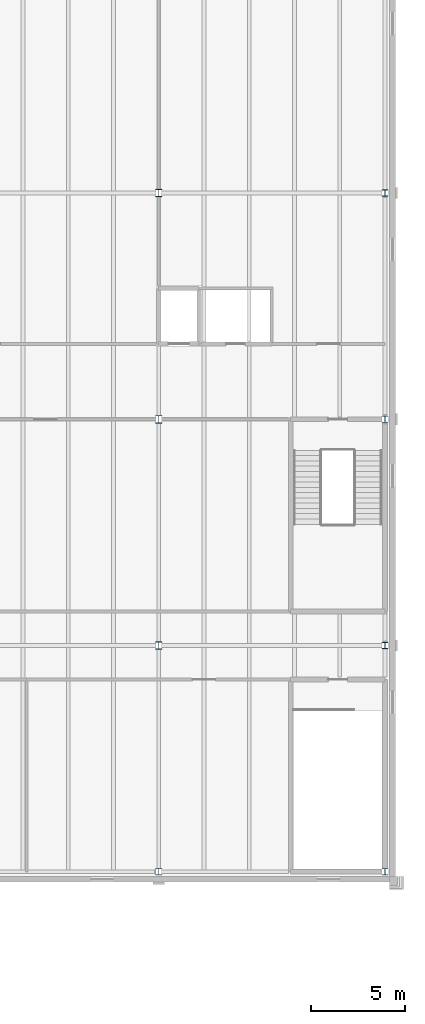
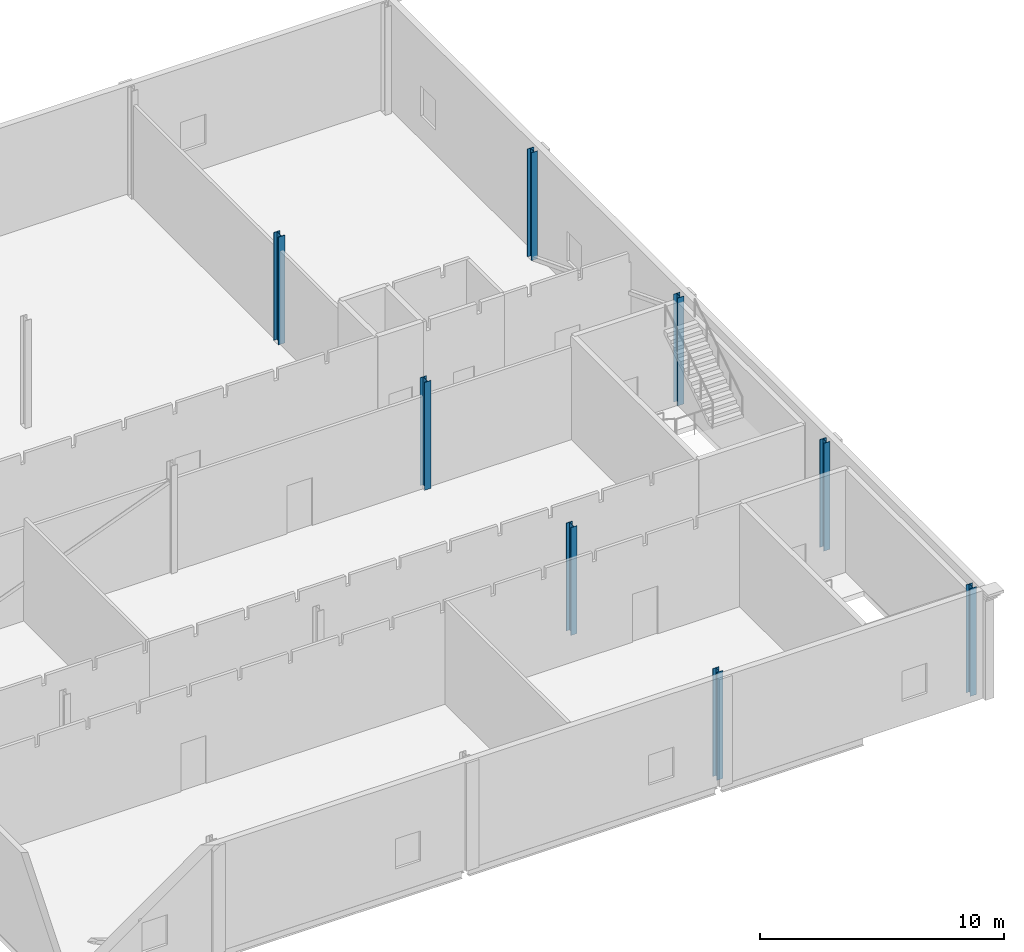
# One storey, part 11 of 321: 8 columns.
"""IFC4 building model written with IfcOpenShell, lengths in metres."""

import ifcopenshell
import ifcopenshell.guid

model = None  # the IFC model being written
_history = None  # IfcOwnerHistory: only IFC2X3 demands one
_inside = {}  # id of a spatial element -> (the spatial element, [elements in it])
_under = {}  # id of a project, library or spatial element -> (it, [spatial elements below it])
_declared = {}  # id of a project -> (the project, [libraries it declares])
_typed = {}  # id of a type object -> (the type object, [elements of that type])
_made_of = {}  # id of a material, layer set ... -> (it, [elements and type objects made of it])


def new_model(schema):
    """Start an empty IFC model of exactly this schema.

    Asked for "IFC4X3", IfcOpenShell would pick the latest addendum, in which some entities
    have other attributes; the version numbers below select the first issue.
    IFC2X3 requires an IfcOwnerHistory on every rooted entity: one is made here for all.
    """
    global model, _history
    if schema == "IFC4X3":
        model = ifcopenshell.file(schema_version=(4, 3, 0, 0))
    else:
        model = ifcopenshell.file(schema=schema)
    _inside.clear()
    _under.clear()
    _declared.clear()
    _typed.clear()
    _made_of.clear()
    _history = None
    if model.schema == "IFC2X3":
        org = make("IfcOrganization", Name="unknown")
        user = make(
            "IfcPersonAndOrganization",
            ThePerson=make("IfcPerson", FamilyName="unknown"),
            TheOrganization=org,
        )
        app = make(
            "IfcApplication",
            ApplicationDeveloper=org,
            Version="unknown",
            ApplicationFullName="unknown",
            ApplicationIdentifier="unknown",
        )
        _history = make(
            "IfcOwnerHistory",
            OwningUser=user,
            OwningApplication=app,
            ChangeAction="ADDED",
            CreationDate=0,
        )
    return model


def make(cls, **values):
    """One entity of the class cls with the attributes given. An attribute that is None is left unset."""
    return model.create_entity(
        cls, **{name: value for name, value in values.items() if value is not None}
    )


def rooted(cls, **values):
    """An entity with a GlobalId (a new one), such as an element, a storey or a relation."""
    return make(cls, GlobalId=ifcopenshell.guid.new(), OwnerHistory=_history, **values)


def si_unit(unit_type, name, prefix=None):
    """IfcSIUnit, for example si_unit("LENGTHUNIT", "METRE", prefix="MILLI")."""
    return make("IfcSIUnit", UnitType=unit_type, Prefix=prefix, Name=name)


def assignment(units):
    """IfcUnitAssignment: the units of a project."""
    return None if units is None else make("IfcUnitAssignment", Units=units)


def point(xyz):
    """IfcCartesianPoint."""
    return None if xyz is None else make("IfcCartesianPoint", Coordinates=xyz)


def direction(xyz):
    """IfcDirection."""
    return None if xyz is None else make("IfcDirection", DirectionRatios=xyz)


def frame(location, z_axis=None, x_axis=None):
    """IfcAxis2Placement3D, a coordinate frame: its origin and axes. An axis left out is left unset."""
    return make(
        "IfcAxis2Placement3D",
        Location=point(location),
        Axis=direction(z_axis),
        RefDirection=direction(x_axis),
    )


def frame_2d(location, x_axis=None):
    """IfcAxis2Placement2D, a coordinate frame in the plane: its origin and x axis."""
    return make(
        "IfcAxis2Placement2D", Location=point(location), RefDirection=direction(x_axis)
    )


def origin():
    """The frame at (0, 0, 0) with its axes left unset."""
    return frame((0.0, 0.0, 0.0))


def origin_2d():
    """The frame at (0, 0) in the plane with its x axis left unset."""
    return frame_2d((0.0, 0.0))


def place(relative_to, where):
    """IfcLocalPlacement: puts the frame where relative to a parent placement (None: the world)."""
    return make(
        "IfcLocalPlacement", PlacementRelTo=relative_to, RelativePlacement=where
    )


def context(
    kind, dimensions, precision=None, world=None, true_north=None, identifier=None
):
    """IfcGeometricRepresentationContext, for example the 3D "Model" context."""
    return make(
        "IfcGeometricRepresentationContext",
        ContextIdentifier=identifier,
        ContextType=kind,
        CoordinateSpaceDimension=dimensions,
        Precision=precision,
        WorldCoordinateSystem=world,
        TrueNorth=true_north,
    )


def subcontext(parent, identifier, kind, view, scale=None):
    """IfcGeometricRepresentationSubContext, for example "Body" below "Model"."""
    return make(
        "IfcGeometricRepresentationSubContext",
        ContextIdentifier=identifier,
        ContextType=kind,
        ParentContext=parent,
        TargetScale=scale,
        TargetView=view,
    )


def project(units=None, contexts=None):
    """IfcProject with its units and contexts."""
    return rooted(
        "IfcProject",
        Name="project",
        RepresentationContexts=contexts,
        UnitsInContext=assignment(units),
    )


def spatial(cls, under=None, at=None, **own):
    """A site, building, storey or space (cls), placed at a placement, below another one or the project."""
    s = rooted(cls, ObjectPlacement=at, **own)
    if under is not None:
        _under.setdefault(under.id(), (under, []))[1].append(s)
    return s


def profile(cls, at=None, kind="AREA", **sizes):
    """A parametric profile (cls). Its sizes go by their IFC names, for example OverallWidth=200.0."""
    return make(cls, ProfileType=kind, Position=at, **sizes)


def i_section(**sizes):
    """IfcIShapeProfileDef."""
    return profile("IfcIShapeProfileDef", **sizes)


def extrude(swept, where, along, depth):
    """IfcExtrudedAreaSolid: the profile swept, set in the frame where, extruded along a direction by depth."""
    return make(
        "IfcExtrudedAreaSolid",
        SweptArea=swept,
        Position=where,
        ExtrudedDirection=direction(along),
        Depth=depth,
    )


def shape(context_of_items, identifier, shape_type, items):
    """IfcShapeRepresentation: the items that make up one representation, for example the "Body"."""
    return make(
        "IfcShapeRepresentation",
        ContextOfItems=context_of_items,
        RepresentationIdentifier=identifier,
        RepresentationType=shape_type,
        Items=items,
    )


def material(Name=None, Category=None):
    """IfcMaterial."""
    return make("IfcMaterial", Name=Name, Category=Category)


def material_profile(
    of_material, cross_section, Name=None, Category=None, Priority=None
):
    """IfcMaterialProfile: a cross section and its material."""
    return make(
        "IfcMaterialProfile",
        Name=Name,
        Material=of_material,
        Profile=cross_section,
        Priority=Priority,
        Category=Category,
    )


def profile_set(profiles, Name=None, composite=None):
    """IfcMaterialProfileSet."""
    return make(
        "IfcMaterialProfileSet",
        Name=Name,
        MaterialProfiles=profiles,
        CompositeProfile=composite,
    )


def made_of(thing, what):
    """Note that an element or type object is made of a material, layer set ...; save() writes the relation."""
    if what is not None:
        _made_of.setdefault(what.id(), (what, []))[1].append(thing)
    return thing


def type_object(cls, material=None, **own):
    """A type object (cls), such as IfcWallType, which elements share."""
    return made_of(rooted(cls, **own), material)


def element(
    cls,
    number,
    at=None,
    inside=None,
    cuts=None,
    type_object=None,
    material=None,
    context=None,
    identifier="Body",
    shape_type=None,
    held_by="IfcProductDefinitionShape",
    body=None,
    shapes=None,
    **own,
):
    """One element of the class cls, such as IfcWall. Its Tag is "e" and its number.

    at: its placement. inside: the storey or other place that contains it. cuts: it is an
    opening in that element (IfcRelVoidsElement). A single representation is given by context,
    identifier, shape_type and body (its items); several are given by shapes. held_by: the class
    of the entity that holds the representations. save() writes the other relations.
    """
    e = rooted(cls, Tag="e%d" % number, ObjectPlacement=at, **own)
    if body is not None:
        shapes = [shape(context, identifier, shape_type, body)]
    if shapes is not None:
        e.Representation = make(held_by, Representations=shapes)
    if inside is not None:
        _inside.setdefault(inside.id(), (inside, []))[1].append(e)
    if cuts is not None:
        rooted(
            "IfcRelVoidsElement", RelatingBuildingElement=cuts, RelatedOpeningElement=e
        )
    if type_object is not None:
        _typed.setdefault(type_object.id(), (type_object, []))[1].append(e)
    return made_of(e, material)


def aggregate(whole, parts):
    """IfcRelAggregates: a whole, such as a stair, and the parts it consists of."""
    return rooted("IfcRelAggregates", RelatingObject=whole, RelatedObjects=parts)


def save(model, path):
    """Write the relations noted so far, then the file.

    IfcRelAggregates (storeys below a building ...), IfcRelContainedInSpatialStructure (elements
    in a storey), IfcRelDefinesByType, IfcRelAssociatesMaterial and IfcRelDeclares: one each for
    every whole, place, type object, material and project.
    """
    for whole, parts in _under.values():
        aggregate(whole, parts)
    for where, things in _inside.values():
        rooted(
            "IfcRelContainedInSpatialStructure",
            RelatedElements=things,
            RelatingStructure=where,
        )
    for kind, things in _typed.values():
        rooted("IfcRelDefinesByType", RelatedObjects=things, RelatingType=kind)
    for what, things in _made_of.values():
        rooted("IfcRelAssociatesMaterial", RelatedObjects=things, RelatingMaterial=what)
    for by, libraries in _declared.values():
        rooted("IfcRelDeclares", RelatingContext=by, RelatedDefinitions=libraries)
    model.write(path)


model = new_model("IFC4")

# Units and contexts
model_context = context("Model", 3, precision=1e-05, world=origin(), true_north=direction((0.0, 1.0)))
body_context = subcontext(model_context, "Body", "Model", "MODEL_VIEW")
ifc_project = project(units=[si_unit("LENGTHUNIT", "METRE"), si_unit("AREAUNIT", "SQUARE_METRE"), si_unit("VOLUMEUNIT", "CUBIC_METRE"), si_unit("PLANEANGLEUNIT", "RADIAN"), si_unit("MASSUNIT", "GRAM", prefix="KILO")], contexts=[model_context])

# Site, building, storey
site_placement = place(None, origin())
site = spatial("IfcSite", under=ifc_project, at=site_placement, CompositionType="ELEMENT")
building_placement = place(site_placement, origin())
building = spatial("IfcBuilding", under=site, at=building_placement, Name="Ravi Spectrum Wholesale Market", CompositionType="ELEMENT")
storey_placement = place(building_placement, frame((0.0, 0.0, 10.800048828125)))
storey = spatial("IfcBuildingStorey", under=building, at=storey_placement, Name="L02", CompositionType="ELEMENT", Elevation=10.800048828125)

# Columns
ifc_material_1 = material(Name="Steel S355", Category="steel")
ifc_material_profile_1 = material_profile(ifc_material_1, i_section(OverallWidth=0.300048828125, OverallDepth=0.340087890625, WebThickness=0.011962890625, FlangeThickness=0.021484375, at=origin_2d()))
ifc_profile_set_1 = profile_set([ifc_material_profile_1], Name="Steel S355")
column_type_1 = type_object("IfcColumnType", Name="HEB 340 column", PredefinedType="COLUMN", material=ifc_profile_set_1)
for number, where, z_axis, x_axis, name in (
    (1, (270.0, 18.0, 0.0), (0.0, 0.0, 1.0), (1.0, 0.0, 0.0), "CS-COL-L02-031"),
    (2, (282.0, 18.0, 0.0), (0.0, 0.0, 1.0), (1.0, 0.0, 0.0), "CS-COL-L02-036"),
    (3, (282.0, 30.0, 0.0), (0.0, 0.0, 1.0), (1.0, 0.0, 0.0), "CS-COL-L02-037"),
    (4, (282.0, 42.0, 0.0), (0.0, 0.0, 1.0), (1.0, 0.0, 0.0), "CS-COL-L02-038"),
    (5, (282.0, 54.0, 0.0), (0.0, 0.0, 1.0), (1.0, 0.0, 0.0), "CS-COL-L02-039"),
):
    element("IfcColumn", number, at=place(storey_placement, frame(where, z_axis=z_axis, x_axis=x_axis)), inside=storey, type_object=column_type_1, Name=name, PredefinedType="COLUMN", context=body_context, shape_type="SweptSolid", body=[
        extrude(i_section(OverallWidth=0.300048828125, OverallDepth=0.340087890625, WebThickness=0.011962890625, FlangeThickness=0.021484375, at=origin_2d()), origin(), (0.0, 0.0, 1.0), 5.39990234375),
    ])
ifc_material_2 = material(Name="Steel S355", Category="steel")
ifc_material_profile_2 = material_profile(ifc_material_2, i_section(OverallWidth=0.300048828125, OverallDepth=0.39990234375, WebThickness=0.013427734375, FlangeThickness=0.02392578125, at=origin_2d()))
ifc_profile_set_2 = profile_set([ifc_material_profile_2], Name="Steel S355")
column_type_2 = type_object("IfcColumnType", Name="HEB 400 column", PredefinedType="COLUMN", material=ifc_profile_set_2)
for number, where, z_axis, x_axis, name in (
    (6, (270.0, 30.0, 0.0), (0.0, 0.0, 1.0), (1.0, 0.0, 0.0), "CS-COL-L02-032"),
    (7, (270.0, 42.0, 0.0), (0.0, 0.0, 1.0), (1.0, 0.0, 0.0), "CS-COL-L02-033"),
    (8, (270.0, 54.0, 0.0), (0.0, 0.0, 1.0), (1.0, 0.0, 0.0), "CS-COL-L02-034"),
):
    element("IfcColumn", number, at=place(storey_placement, frame(where, z_axis=z_axis, x_axis=x_axis)), inside=storey, type_object=column_type_2, Name=name, PredefinedType="COLUMN", context=body_context, shape_type="SweptSolid", body=[
        extrude(i_section(OverallWidth=0.300048828125, OverallDepth=0.39990234375, WebThickness=0.013427734375, FlangeThickness=0.02392578125, at=origin_2d()), origin(), (0.0, 0.0, 1.0), 5.39990234375),
    ])

save(model, "model.ifc")
